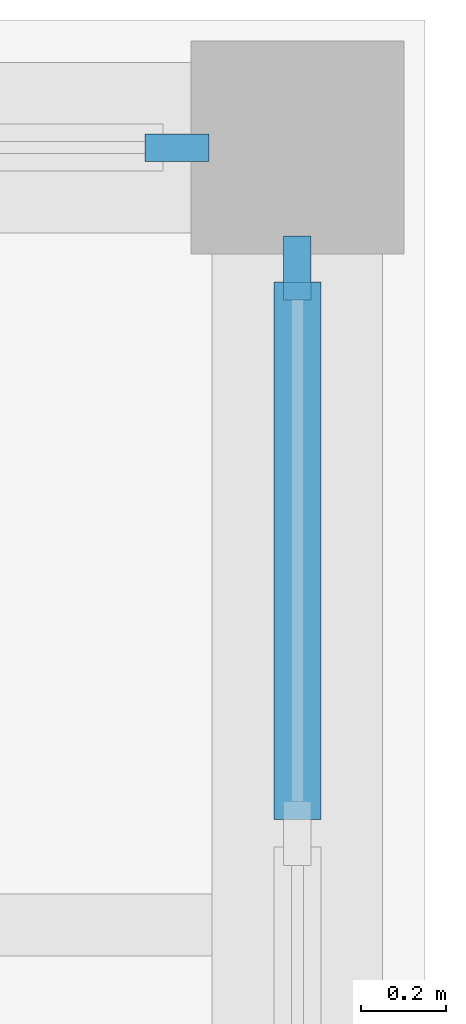
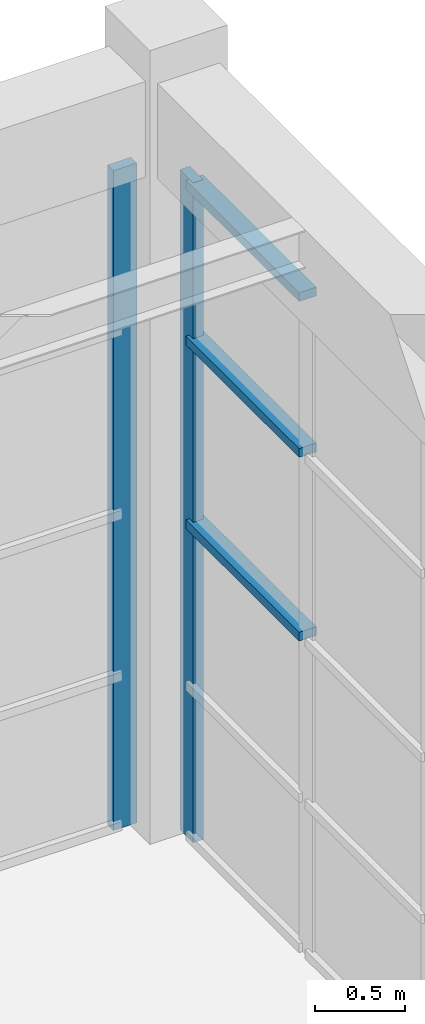
# One storey, part 61 of 103: 5 members, 2 elements without a shape of their own.
"""IFC4 building model written with IfcOpenShell, lengths in metres."""

from ifc_helpers import new_model, si_unit, direction, frame, origin, origin_2d, place, context, subcontext, project, spatial, rectangle, extrude, material, layer, layer_set, material_profile, profile_set, type_object, element, aggregate, save


model = new_model("IFC4")

# Units and contexts
model_context = context("Model", 3, precision=1e-05, world=origin(), true_north=direction((0.0, 1.0)))
body_context = subcontext(model_context, "Body", "Model", "MODEL_VIEW")
ifc_project = project(units=[si_unit("LENGTHUNIT", "METRE"), si_unit("AREAUNIT", "SQUARE_METRE"), si_unit("VOLUMEUNIT", "CUBIC_METRE"), si_unit("PLANEANGLEUNIT", "RADIAN"), si_unit("MASSUNIT", "GRAM", prefix="KILO")], contexts=[model_context])

# Site, building, storey
site_placement = place(None, origin())
site = spatial("IfcSite", under=ifc_project, at=site_placement, CompositionType="ELEMENT")
building_placement = place(site_placement, origin())
building = spatial("IfcBuilding", under=site, at=building_placement, Name="Candilejo Ridge Gondola Terminal", CompositionType="ELEMENT")
storey_placement = place(building_placement, frame((0.0, 0.0, 9.0)))
storey = spatial("IfcBuildingStorey", under=building, at=storey_placement, Name="L02", CompositionType="ELEMENT", Elevation=9.0)

# Curtain wall, member
ifc_material_1 = material(Name="Anodised aluminium AA 6063-T6", Category="aluminium")
ifc_layer_1 = layer(ifc_material_1, 0.169921875)
ifc_layer_set_1 = layer_set([ifc_layer_1], Name="ARC-CW-TOWER-3000-680X449")
curtain_wall_type_1 = type_object("IfcCurtainWallType", Name="ARC-CW-TOWER-3000-680X449", PredefinedType="NOTDEFINED", material=ifc_layer_set_1)
curtain_wall_1_placement = place(storey_placement, origin())
curtain_wall_1 = element("IfcCurtainWall", 1, at=curtain_wall_1_placement, inside=storey, type_object=curtain_wall_type_1, Name="Curtain wall V5 L02-191", PredefinedType="NOTDEFINED")
ifc_material_2 = material(Name="Anodised aluminium AA 6063-T6", Category="aluminium")
ifc_material_profile_1 = material_profile(ifc_material_2, rectangle(XDim=0.06494140625, YDim=0.14990234375, at=origin_2d()))
ifc_profile_set_1 = profile_set([ifc_material_profile_1], Name="Anodised aluminium AA 6063-T6")
member_type_1 = type_object("IfcMemberType", Name="ARC-CW-MULLION-150", PredefinedType="MULLION", material=ifc_profile_set_1)
member_1_placement = place(storey_placement, frame((175.300048828125, 120.5673828125, 0.0), z_axis=(0.0, 0.0, 1.0), x_axis=(-1.0, 0.0, 0.0)))
member_1 = element("IfcMember", 2, at=member_1_placement, type_object=member_type_1, Name="CW-68X44 mullion 6", PredefinedType="MULLION", context=body_context, shape_type="SweptSolid", body=[
    extrude(rectangle(XDim=0.06494140625, YDim=0.14990234375, at=origin_2d()), origin(), (0.0, 0.0, 1.0), 4.489990234375),
])

ifc_material_3 = material(Name="Anodised aluminium AA 6063-T6", Category="aluminium")
ifc_layer_2 = layer(ifc_material_3, 0.169921875)
ifc_layer_set_2 = layer_set([ifc_layer_2], Name="ARC-CW-TOWER-3000-620X449")
curtain_wall_type_2 = type_object("IfcCurtainWallType", Name="ARC-CW-TOWER-3000-620X449", PredefinedType="NOTDEFINED", material=ifc_layer_set_2)
curtain_wall_2_placement = place(storey_placement, origin())
curtain_wall_2 = element("IfcCurtainWall", 3, at=curtain_wall_2_placement, inside=storey, type_object=curtain_wall_type_2, Name="Curtain wall V5 L02-195", PredefinedType="NOTDEFINED")
member_2_placement = place(storey_placement, frame((175.017578125, 120.85009765625, 0.0), z_axis=(0.0, 0.0, 1.0), x_axis=(0.0, 1.0, 0.0)))
member_2 = element("IfcMember", 4, at=member_2_placement, type_object=member_type_1, Name="CW-62X44 mullion 5", PredefinedType="MULLION", context=body_context, shape_type="SweptSolid", body=[
    extrude(rectangle(XDim=0.06494140625, YDim=0.14990234375, at=origin_2d()), origin(), (0.0, 0.0, 1.0), 4.489990234375),
])
aggregate(curtain_wall_2, [member_2])

# Member
ifc_material_4 = material(Name="Anodised aluminium AA 6063-T6", Category="aluminium")
ifc_material_profile_2 = material_profile(ifc_material_4, rectangle(XDim=0.110107421875, YDim=0.06005859375, at=origin_2d()))
ifc_profile_set_2 = profile_set([ifc_material_profile_2], Name="Anodised aluminium AA 6063-T6")
member_type_2 = type_object("IfcMemberType", Name="ARC-CW-TRANSOM-110", PredefinedType="USERDEFINED", material=ifc_profile_set_2)
member_3_placement = place(storey_placement, frame((175.300048828125, 119.2724609375, 2.14990234375), z_axis=(0.0, 1.0, 0.0), x_axis=(-1.0, 0.0, 0.0)))
member_3 = element("IfcMember", 5, at=member_3_placement, type_object=member_type_2, Name="CW-68X44 transom 5.3", ObjectType="TRANSOM", PredefinedType="USERDEFINED", context=body_context, shape_type="SweptSolid", body=[
    extrude(rectangle(XDim=0.110107421875, YDim=0.06005859375, at=origin_2d()), origin(), (0.0, 0.0, 1.0), 1.262451171875),
])

member_4_placement = place(storey_placement, frame((175.300048828125, 119.2724609375, 3.39990234375), z_axis=(0.0, 1.0, 0.0), x_axis=(-1.0, 0.0, 0.0)))
member_4 = element("IfcMember", 6, at=member_4_placement, type_object=member_type_2, Name="CW-68X44 transom 5.4", ObjectType="TRANSOM", PredefinedType="USERDEFINED", context=body_context, shape_type="SweptSolid", body=[
    extrude(rectangle(XDim=0.110107421875, YDim=0.06005859375, at=origin_2d()), origin(), (0.0, 0.0, 1.0), 1.262451171875),
])

member_5_placement = place(storey_placement, frame((175.300048828125, 119.2724609375, 4.4599609375), z_axis=(0.0, 1.0, 0.0), x_axis=(-1.0, 0.0, 0.0)))
member_5 = element("IfcMember", 7, at=member_5_placement, type_object=member_type_2, Name="CW-68X44 transom 5.5", ObjectType="TRANSOM", PredefinedType="USERDEFINED", context=body_context, shape_type="SweptSolid", body=[
    extrude(rectangle(XDim=0.110107421875, YDim=0.06005859375, at=origin_2d()), origin(), (0.0, 0.0, 1.0), 1.262451171875),
])

aggregate(curtain_wall_1, [member_1, member_3, member_4, member_5])

save(model, "model.ifc")
